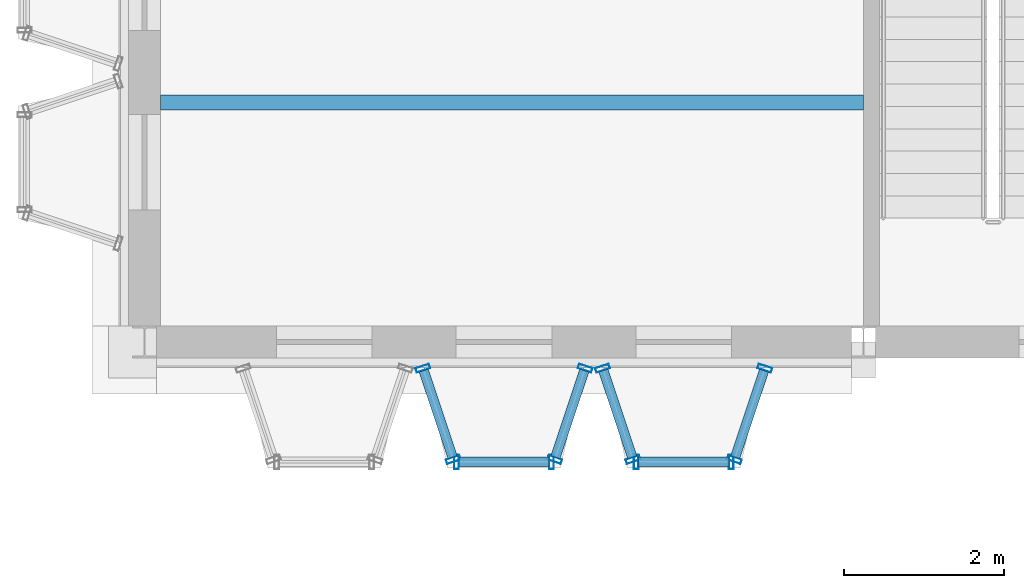
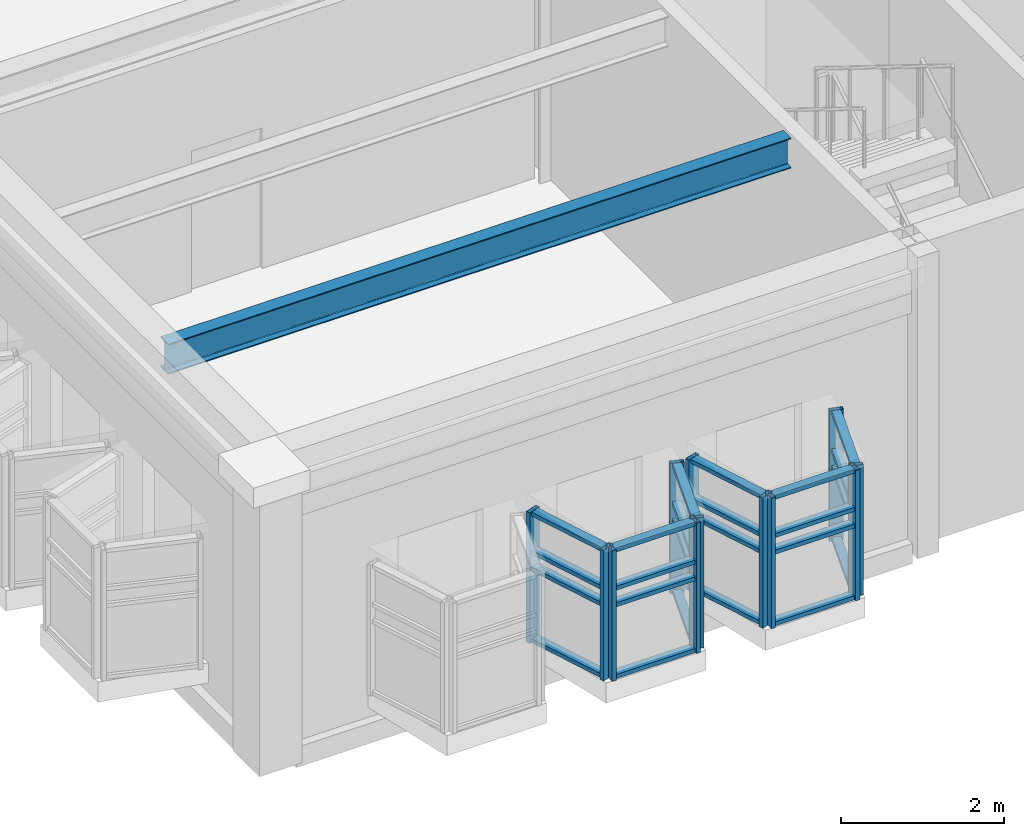
# One storey, part 28 of 153: 36 members, 1 beam, 6 elements without a shape of their own.
"""IFC4 building model written with IfcOpenShell, lengths in metres."""

from ifc_helpers import new_model, si_unit, direction, frame, origin, origin_2d, place, context, subcontext, project, spatial, hollow_rectangle, i_section, extrude, material, material_profile, profile_set, type_object, element, aggregate, save


model = new_model("IFC4")

# Units and contexts
model_context = context("Model", 3, precision=1e-05, world=origin(), true_north=direction((0.0, 1.0)))
body_context = subcontext(model_context, "Body", "Model", "MODEL_VIEW")
ifc_project = project(units=[si_unit("LENGTHUNIT", "METRE"), si_unit("AREAUNIT", "SQUARE_METRE"), si_unit("VOLUMEUNIT", "CUBIC_METRE"), si_unit("PLANEANGLEUNIT", "RADIAN"), si_unit("MASSUNIT", "GRAM", prefix="KILO")], contexts=[model_context])

# Site, building, storey
site_placement = place(None, origin())
site = spatial("IfcSite", under=ifc_project, at=site_placement, CompositionType="ELEMENT")
building_placement = place(site_placement, origin())
building = spatial("IfcBuilding", under=site, at=building_placement, Name="Kallimachos Central Library", CompositionType="ELEMENT")
storey_placement = place(building_placement, frame((0.0, 0.0, 5.39990234375)))
storey = spatial("IfcBuildingStorey", under=building, at=storey_placement, Name="L01", CompositionType="ELEMENT", Elevation=5.39990234375)

# Curtain wall, members
ifc_material_1 = material(Name="Laminated glass in anodised aluminium", Category="aluminium")
curtain_wall_type = type_object("IfcCurtainWallType", Name="Foyer curtain wall", PredefinedType="NOTDEFINED", material=ifc_material_1)
curtain_wall_1_placement = place(storey_placement, origin())
curtain_wall_1 = element("IfcCurtainWall", 1, at=curtain_wall_1_placement, inside=storey, type_object=curtain_wall_type, Name="Tribune bay return west", PredefinedType="NOTDEFINED")
ifc_material_2 = material(Name="Anodised aluminium", Category="aluminium")
ifc_material_profile_1 = material_profile(ifc_material_2, hollow_rectangle(XDim=0.06005859375, YDim=0.179931640625, WallThickness=0.00390625, at=origin_2d()), Name="ALU MULLION 60x180")
ifc_profile_set_1 = profile_set([ifc_material_profile_1], Name="Anodised aluminium")
member_type_1 = type_object("IfcMemberType", Name="ALU MULLION 60x180 mullion", PredefinedType="MULLION", material=ifc_profile_set_1)
member_1_placement = place(storey_placement, frame((68.984375, 17.671630859375, 0.60009765625), z_axis=(0.0, 0.0, 1.0), x_axis=(0.316227766018, -0.94868329805, 0.0)))
member_1 = element("IfcMember", 2, at=member_1_placement, type_object=member_type_1, Name="CW mullion 1", PredefinedType="MULLION", context=body_context, shape_type="SweptSolid", body=[
    extrude(hollow_rectangle(XDim=0.06005859375, YDim=0.179931640625, WallThickness=0.00390625, at=origin_2d()), origin(), (0.0, 0.0, 1.0), 1.949951171875),
])
member_2_placement = place(storey_placement, frame((69.365478515625, 16.528564453125, 0.60009765625), z_axis=(0.0, 0.0, 1.0), x_axis=(0.316227766018, -0.94868329805, 0.0)))
member_2 = element("IfcMember", 3, at=member_2_placement, type_object=member_type_1, Name="CW mullion 2", PredefinedType="MULLION", context=body_context, shape_type="SweptSolid", body=[
    extrude(hollow_rectangle(XDim=0.06005859375, YDim=0.179931640625, WallThickness=0.00390625, at=origin_2d()), origin(), (0.0, 0.0, 1.0), 1.949951171875),
])

curtain_wall_2_placement = place(storey_placement, origin())
curtain_wall_2 = element("IfcCurtainWall", 4, at=curtain_wall_2_placement, inside=storey, type_object=curtain_wall_type, Name="Tribune bay front", PredefinedType="NOTDEFINED")
member_3_placement = place(storey_placement, frame((69.405029296875, 16.5, 0.60009765625), z_axis=(0.0, 0.0, 1.0), x_axis=(1.0, 0.0, 0.0)))
member_3 = element("IfcMember", 5, at=member_3_placement, type_object=member_type_1, Name="CW mullion 1", PredefinedType="MULLION", context=body_context, shape_type="SweptSolid", body=[
    extrude(hollow_rectangle(XDim=0.06005859375, YDim=0.179931640625, WallThickness=0.00390625, at=origin_2d()), origin(), (0.0, 0.0, 1.0), 1.949951171875),
])
member_4_placement = place(storey_placement, frame((70.594970703125, 16.5, 0.60009765625), z_axis=(0.0, 0.0, 1.0), x_axis=(1.0, 0.0, 0.0)))
member_4 = element("IfcMember", 6, at=member_4_placement, type_object=member_type_1, Name="CW mullion 2", PredefinedType="MULLION", context=body_context, shape_type="SweptSolid", body=[
    extrude(hollow_rectangle(XDim=0.06005859375, YDim=0.179931640625, WallThickness=0.00390625, at=origin_2d()), origin(), (0.0, 0.0, 1.0), 1.949951171875),
])

curtain_wall_3_placement = place(storey_placement, origin())
curtain_wall_3 = element("IfcCurtainWall", 7, at=curtain_wall_3_placement, inside=storey, type_object=curtain_wall_type, Name="Tribune bay return east", PredefinedType="NOTDEFINED")
member_5_placement = place(storey_placement, frame((70.634521484375, 16.528564453125, 0.60009765625), z_axis=(0.0, 0.0, 1.0), x_axis=(0.316227766018, 0.94868329805, 0.0)))
member_5 = element("IfcMember", 8, at=member_5_placement, type_object=member_type_1, Name="CW mullion 1", PredefinedType="MULLION", context=body_context, shape_type="SweptSolid", body=[
    extrude(hollow_rectangle(XDim=0.06005859375, YDim=0.179931640625, WallThickness=0.00390625, at=origin_2d()), origin(), (0.0, 0.0, 1.0), 1.949951171875),
])
member_6_placement = place(storey_placement, frame((71.015625, 17.671630859375, 0.60009765625), z_axis=(0.0, 0.0, 1.0), x_axis=(0.316227766018, 0.94868329805, 0.0)))
member_6 = element("IfcMember", 9, at=member_6_placement, type_object=member_type_1, Name="CW mullion 2", PredefinedType="MULLION", context=body_context, shape_type="SweptSolid", body=[
    extrude(hollow_rectangle(XDim=0.06005859375, YDim=0.179931640625, WallThickness=0.00390625, at=origin_2d()), origin(), (0.0, 0.0, 1.0), 1.949951171875),
])

curtain_wall_4_placement = place(storey_placement, origin())
curtain_wall_4 = element("IfcCurtainWall", 10, at=curtain_wall_4_placement, inside=storey, type_object=curtain_wall_type, Name="Tribune bay return west", PredefinedType="NOTDEFINED")
member_7_placement = place(storey_placement, frame((71.234375, 17.671630859375, 0.60009765625), z_axis=(0.0, 0.0, 1.0), x_axis=(0.316227766018, -0.94868329805, 0.0)))
member_7 = element("IfcMember", 11, at=member_7_placement, type_object=member_type_1, Name="CW mullion 1", PredefinedType="MULLION", context=body_context, shape_type="SweptSolid", body=[
    extrude(hollow_rectangle(XDim=0.06005859375, YDim=0.179931640625, WallThickness=0.00390625, at=origin_2d()), origin(), (0.0, 0.0, 1.0), 1.949951171875),
])
member_8_placement = place(storey_placement, frame((71.615478515625, 16.528564453125, 0.60009765625), z_axis=(0.0, 0.0, 1.0), x_axis=(0.316227766018, -0.94868329805, 0.0)))
member_8 = element("IfcMember", 12, at=member_8_placement, type_object=member_type_1, Name="CW mullion 2", PredefinedType="MULLION", context=body_context, shape_type="SweptSolid", body=[
    extrude(hollow_rectangle(XDim=0.06005859375, YDim=0.179931640625, WallThickness=0.00390625, at=origin_2d()), origin(), (0.0, 0.0, 1.0), 1.949951171875),
])

curtain_wall_5_placement = place(storey_placement, origin())
curtain_wall_5 = element("IfcCurtainWall", 13, at=curtain_wall_5_placement, inside=storey, type_object=curtain_wall_type, Name="Tribune bay front", PredefinedType="NOTDEFINED")
member_9_placement = place(storey_placement, frame((71.655029296875, 16.5, 0.60009765625), z_axis=(0.0, 0.0, 1.0), x_axis=(1.0, 0.0, 0.0)))
member_9 = element("IfcMember", 14, at=member_9_placement, type_object=member_type_1, Name="CW mullion 1", PredefinedType="MULLION", context=body_context, shape_type="SweptSolid", body=[
    extrude(hollow_rectangle(XDim=0.06005859375, YDim=0.179931640625, WallThickness=0.00390625, at=origin_2d()), origin(), (0.0, 0.0, 1.0), 1.949951171875),
])
member_10_placement = place(storey_placement, frame((72.844970703125, 16.5, 0.60009765625), z_axis=(0.0, 0.0, 1.0), x_axis=(1.0, 0.0, 0.0)))
member_10 = element("IfcMember", 15, at=member_10_placement, type_object=member_type_1, Name="CW mullion 2", PredefinedType="MULLION", context=body_context, shape_type="SweptSolid", body=[
    extrude(hollow_rectangle(XDim=0.06005859375, YDim=0.179931640625, WallThickness=0.00390625, at=origin_2d()), origin(), (0.0, 0.0, 1.0), 1.949951171875),
])

curtain_wall_6_placement = place(storey_placement, origin())
curtain_wall_6 = element("IfcCurtainWall", 16, at=curtain_wall_6_placement, inside=storey, type_object=curtain_wall_type, Name="Tribune bay return east", PredefinedType="NOTDEFINED")
member_11_placement = place(storey_placement, frame((72.884521484375, 16.528564453125, 0.60009765625), z_axis=(0.0, 0.0, 1.0), x_axis=(0.316227766018, 0.94868329805, 0.0)))
member_11 = element("IfcMember", 17, at=member_11_placement, type_object=member_type_1, Name="CW mullion 1", PredefinedType="MULLION", context=body_context, shape_type="SweptSolid", body=[
    extrude(hollow_rectangle(XDim=0.06005859375, YDim=0.179931640625, WallThickness=0.00390625, at=origin_2d()), origin(), (0.0, 0.0, 1.0), 1.949951171875),
])
member_12_placement = place(storey_placement, frame((73.265625, 17.671630859375, 0.60009765625), z_axis=(0.0, 0.0, 1.0), x_axis=(0.316227766018, 0.94868329805, 0.0)))
member_12 = element("IfcMember", 18, at=member_12_placement, type_object=member_type_1, Name="CW mullion 2", PredefinedType="MULLION", context=body_context, shape_type="SweptSolid", body=[
    extrude(hollow_rectangle(XDim=0.06005859375, YDim=0.179931640625, WallThickness=0.00390625, at=origin_2d()), origin(), (0.0, 0.0, 1.0), 1.949951171875),
])

# Member
ifc_material_3 = material(Name="Anodised aluminium", Category="aluminium")
ifc_material_profile_2 = material_profile(ifc_material_3, hollow_rectangle(XDim=0.06005859375, YDim=0.1201171875, WallThickness=0.00390625, at=origin_2d()), Name="ALU TRANSOM 60x120")
ifc_profile_set_2 = profile_set([ifc_material_profile_2], Name="Anodised aluminium")
member_type_2 = type_object("IfcMemberType", Name="ALU TRANSOM 60x120 transom", PredefinedType="USERDEFINED", material=ifc_profile_set_2)
member_13_placement = place(storey_placement, frame((68.993896484375, 17.64306640625, 0.630126953125), z_axis=(0.316227766017, -0.948683298051, 0.0), x_axis=(0.0, 0.0, 1.0)))
member_13 = element("IfcMember", 19, at=member_13_placement, type_object=member_type_2, Name="CW transom 1.1", ObjectType="TRANSOM", PredefinedType="USERDEFINED", context=body_context, shape_type="SweptSolid", body=[
    extrude(hollow_rectangle(XDim=0.06005859375, YDim=0.1201171875, WallThickness=0.00390625, at=origin_2d()), origin(), (0.0, 0.0, 1.0), 1.14501953125),
])

member_14_placement = place(storey_placement, frame((68.993896484375, 17.64306640625, 1.7001953125), z_axis=(0.316227766017, -0.948683298051, 0.0), x_axis=(0.0, 0.0, 1.0)))
member_14 = element("IfcMember", 20, at=member_14_placement, type_object=member_type_2, Name="CW transom 1.2", ObjectType="TRANSOM", PredefinedType="USERDEFINED", context=body_context, shape_type="SweptSolid", body=[
    extrude(hollow_rectangle(XDim=0.06005859375, YDim=0.1201171875, WallThickness=0.00390625, at=origin_2d()), origin(), (0.0, 0.0, 1.0), 1.14501953125),
])

member_15_placement = place(storey_placement, frame((68.993896484375, 17.64306640625, 1.9501953125), z_axis=(0.316227766017, -0.948683298051, 0.0), x_axis=(0.0, 0.0, 1.0)))
member_15 = element("IfcMember", 21, at=member_15_placement, type_object=member_type_2, Name="CW transom 1.3", ObjectType="TRANSOM", PredefinedType="USERDEFINED", context=body_context, shape_type="SweptSolid", body=[
    extrude(hollow_rectangle(XDim=0.06005859375, YDim=0.1201171875, WallThickness=0.00390625, at=origin_2d()), origin(), (0.0, 0.0, 1.0), 1.14501953125),
])

member_16_placement = place(storey_placement, frame((68.993896484375, 17.64306640625, 2.52001953125), z_axis=(0.316227766017, -0.948683298051, 0.0), x_axis=(0.0, 0.0, 1.0)))
member_16 = element("IfcMember", 22, at=member_16_placement, type_object=member_type_2, Name="CW transom 1.4", ObjectType="TRANSOM", PredefinedType="USERDEFINED", context=body_context, shape_type="SweptSolid", body=[
    extrude(hollow_rectangle(XDim=0.06005859375, YDim=0.1201171875, WallThickness=0.00390625, at=origin_2d()), origin(), (0.0, 0.0, 1.0), 1.14501953125),
])

aggregate(curtain_wall_1, [member_1, member_2, member_13, member_14, member_15, member_16])

member_17_placement = place(storey_placement, frame((69.43505859375, 16.5, 0.630126953125), z_axis=(1.0, 0.0, 0.0), x_axis=(0.0, 0.0, 1.0)))
member_17 = element("IfcMember", 23, at=member_17_placement, type_object=member_type_2, Name="CW transom 1.1", ObjectType="TRANSOM", PredefinedType="USERDEFINED", context=body_context, shape_type="SweptSolid", body=[
    extrude(hollow_rectangle(XDim=0.06005859375, YDim=0.1201171875, WallThickness=0.00390625, at=origin_2d()), origin(), (0.0, 0.0, 1.0), 1.1298828125),
])

member_18_placement = place(storey_placement, frame((69.43505859375, 16.5, 1.7001953125), z_axis=(1.0, 0.0, 0.0), x_axis=(0.0, 0.0, 1.0)))
member_18 = element("IfcMember", 24, at=member_18_placement, type_object=member_type_2, Name="CW transom 1.2", ObjectType="TRANSOM", PredefinedType="USERDEFINED", context=body_context, shape_type="SweptSolid", body=[
    extrude(hollow_rectangle(XDim=0.06005859375, YDim=0.1201171875, WallThickness=0.00390625, at=origin_2d()), origin(), (0.0, 0.0, 1.0), 1.1298828125),
])

member_19_placement = place(storey_placement, frame((69.43505859375, 16.5, 1.9501953125), z_axis=(1.0, 0.0, 0.0), x_axis=(0.0, 0.0, 1.0)))
member_19 = element("IfcMember", 25, at=member_19_placement, type_object=member_type_2, Name="CW transom 1.3", ObjectType="TRANSOM", PredefinedType="USERDEFINED", context=body_context, shape_type="SweptSolid", body=[
    extrude(hollow_rectangle(XDim=0.06005859375, YDim=0.1201171875, WallThickness=0.00390625, at=origin_2d()), origin(), (0.0, 0.0, 1.0), 1.1298828125),
])

member_20_placement = place(storey_placement, frame((69.43505859375, 16.5, 2.52001953125), z_axis=(1.0, 0.0, 0.0), x_axis=(0.0, 0.0, 1.0)))
member_20 = element("IfcMember", 26, at=member_20_placement, type_object=member_type_2, Name="CW transom 1.4", ObjectType="TRANSOM", PredefinedType="USERDEFINED", context=body_context, shape_type="SweptSolid", body=[
    extrude(hollow_rectangle(XDim=0.06005859375, YDim=0.1201171875, WallThickness=0.00390625, at=origin_2d()), origin(), (0.0, 0.0, 1.0), 1.1298828125),
])

aggregate(curtain_wall_2, [member_3, member_4, member_17, member_18, member_19, member_20])

member_21_placement = place(storey_placement, frame((70.64404296875, 16.556884765625, 0.630126953125), z_axis=(0.316227766017, 0.948683298051, 0.0), x_axis=(0.0, 0.0, 1.0)))
member_21 = element("IfcMember", 27, at=member_21_placement, type_object=member_type_2, Name="CW transom 1.1", ObjectType="TRANSOM", PredefinedType="USERDEFINED", context=body_context, shape_type="SweptSolid", body=[
    extrude(hollow_rectangle(XDim=0.06005859375, YDim=0.1201171875, WallThickness=0.00390625, at=origin_2d()), origin(), (0.0, 0.0, 1.0), 1.14501953125),
])

member_22_placement = place(storey_placement, frame((70.64404296875, 16.556884765625, 1.7001953125), z_axis=(0.316227766017, 0.948683298051, 0.0), x_axis=(0.0, 0.0, 1.0)))
member_22 = element("IfcMember", 28, at=member_22_placement, type_object=member_type_2, Name="CW transom 1.2", ObjectType="TRANSOM", PredefinedType="USERDEFINED", context=body_context, shape_type="SweptSolid", body=[
    extrude(hollow_rectangle(XDim=0.06005859375, YDim=0.1201171875, WallThickness=0.00390625, at=origin_2d()), origin(), (0.0, 0.0, 1.0), 1.14501953125),
])

member_23_placement = place(storey_placement, frame((70.64404296875, 16.556884765625, 1.9501953125), z_axis=(0.316227766017, 0.948683298051, 0.0), x_axis=(0.0, 0.0, 1.0)))
member_23 = element("IfcMember", 29, at=member_23_placement, type_object=member_type_2, Name="CW transom 1.3", ObjectType="TRANSOM", PredefinedType="USERDEFINED", context=body_context, shape_type="SweptSolid", body=[
    extrude(hollow_rectangle(XDim=0.06005859375, YDim=0.1201171875, WallThickness=0.00390625, at=origin_2d()), origin(), (0.0, 0.0, 1.0), 1.14501953125),
])

member_24_placement = place(storey_placement, frame((70.64404296875, 16.556884765625, 2.52001953125), z_axis=(0.316227766017, 0.948683298051, 0.0), x_axis=(0.0, 0.0, 1.0)))
member_24 = element("IfcMember", 30, at=member_24_placement, type_object=member_type_2, Name="CW transom 1.4", ObjectType="TRANSOM", PredefinedType="USERDEFINED", context=body_context, shape_type="SweptSolid", body=[
    extrude(hollow_rectangle(XDim=0.06005859375, YDim=0.1201171875, WallThickness=0.00390625, at=origin_2d()), origin(), (0.0, 0.0, 1.0), 1.14501953125),
])

aggregate(curtain_wall_3, [member_5, member_6, member_21, member_22, member_23, member_24])

member_25_placement = place(storey_placement, frame((71.243896484375, 17.64306640625, 0.630126953125), z_axis=(0.316227766017, -0.948683298051, 0.0), x_axis=(0.0, 0.0, 1.0)))
member_25 = element("IfcMember", 31, at=member_25_placement, type_object=member_type_2, Name="CW transom 1.1", ObjectType="TRANSOM", PredefinedType="USERDEFINED", context=body_context, shape_type="SweptSolid", body=[
    extrude(hollow_rectangle(XDim=0.06005859375, YDim=0.1201171875, WallThickness=0.00390625, at=origin_2d()), origin(), (0.0, 0.0, 1.0), 1.14501953125),
])

member_26_placement = place(storey_placement, frame((71.243896484375, 17.64306640625, 1.7001953125), z_axis=(0.316227766017, -0.948683298051, 0.0), x_axis=(0.0, 0.0, 1.0)))
member_26 = element("IfcMember", 32, at=member_26_placement, type_object=member_type_2, Name="CW transom 1.2", ObjectType="TRANSOM", PredefinedType="USERDEFINED", context=body_context, shape_type="SweptSolid", body=[
    extrude(hollow_rectangle(XDim=0.06005859375, YDim=0.1201171875, WallThickness=0.00390625, at=origin_2d()), origin(), (0.0, 0.0, 1.0), 1.14501953125),
])

member_27_placement = place(storey_placement, frame((71.243896484375, 17.64306640625, 1.9501953125), z_axis=(0.316227766017, -0.948683298051, 0.0), x_axis=(0.0, 0.0, 1.0)))
member_27 = element("IfcMember", 33, at=member_27_placement, type_object=member_type_2, Name="CW transom 1.3", ObjectType="TRANSOM", PredefinedType="USERDEFINED", context=body_context, shape_type="SweptSolid", body=[
    extrude(hollow_rectangle(XDim=0.06005859375, YDim=0.1201171875, WallThickness=0.00390625, at=origin_2d()), origin(), (0.0, 0.0, 1.0), 1.14501953125),
])

member_28_placement = place(storey_placement, frame((71.243896484375, 17.64306640625, 2.52001953125), z_axis=(0.316227766017, -0.948683298051, 0.0), x_axis=(0.0, 0.0, 1.0)))
member_28 = element("IfcMember", 34, at=member_28_placement, type_object=member_type_2, Name="CW transom 1.4", ObjectType="TRANSOM", PredefinedType="USERDEFINED", context=body_context, shape_type="SweptSolid", body=[
    extrude(hollow_rectangle(XDim=0.06005859375, YDim=0.1201171875, WallThickness=0.00390625, at=origin_2d()), origin(), (0.0, 0.0, 1.0), 1.14501953125),
])

aggregate(curtain_wall_4, [member_7, member_8, member_25, member_26, member_27, member_28])

member_29_placement = place(storey_placement, frame((71.68505859375, 16.5, 0.630126953125), z_axis=(1.0, 0.0, 0.0), x_axis=(0.0, 0.0, 1.0)))
member_29 = element("IfcMember", 35, at=member_29_placement, type_object=member_type_2, Name="CW transom 1.1", ObjectType="TRANSOM", PredefinedType="USERDEFINED", context=body_context, shape_type="SweptSolid", body=[
    extrude(hollow_rectangle(XDim=0.06005859375, YDim=0.1201171875, WallThickness=0.00390625, at=origin_2d()), origin(), (0.0, 0.0, 1.0), 1.1298828125),
])

member_30_placement = place(storey_placement, frame((71.68505859375, 16.5, 1.7001953125), z_axis=(1.0, 0.0, 0.0), x_axis=(0.0, 0.0, 1.0)))
member_30 = element("IfcMember", 36, at=member_30_placement, type_object=member_type_2, Name="CW transom 1.2", ObjectType="TRANSOM", PredefinedType="USERDEFINED", context=body_context, shape_type="SweptSolid", body=[
    extrude(hollow_rectangle(XDim=0.06005859375, YDim=0.1201171875, WallThickness=0.00390625, at=origin_2d()), origin(), (0.0, 0.0, 1.0), 1.1298828125),
])

member_31_placement = place(storey_placement, frame((71.68505859375, 16.5, 1.9501953125), z_axis=(1.0, 0.0, 0.0), x_axis=(0.0, 0.0, 1.0)))
member_31 = element("IfcMember", 37, at=member_31_placement, type_object=member_type_2, Name="CW transom 1.3", ObjectType="TRANSOM", PredefinedType="USERDEFINED", context=body_context, shape_type="SweptSolid", body=[
    extrude(hollow_rectangle(XDim=0.06005859375, YDim=0.1201171875, WallThickness=0.00390625, at=origin_2d()), origin(), (0.0, 0.0, 1.0), 1.1298828125),
])

member_32_placement = place(storey_placement, frame((71.68505859375, 16.5, 2.52001953125), z_axis=(1.0, 0.0, 0.0), x_axis=(0.0, 0.0, 1.0)))
member_32 = element("IfcMember", 38, at=member_32_placement, type_object=member_type_2, Name="CW transom 1.4", ObjectType="TRANSOM", PredefinedType="USERDEFINED", context=body_context, shape_type="SweptSolid", body=[
    extrude(hollow_rectangle(XDim=0.06005859375, YDim=0.1201171875, WallThickness=0.00390625, at=origin_2d()), origin(), (0.0, 0.0, 1.0), 1.1298828125),
])

aggregate(curtain_wall_5, [member_9, member_10, member_29, member_30, member_31, member_32])

member_33_placement = place(storey_placement, frame((72.89404296875, 16.556884765625, 0.630126953125), z_axis=(0.316227766017, 0.948683298051, 0.0), x_axis=(0.0, 0.0, 1.0)))
member_33 = element("IfcMember", 39, at=member_33_placement, type_object=member_type_2, Name="CW transom 1.1", ObjectType="TRANSOM", PredefinedType="USERDEFINED", context=body_context, shape_type="SweptSolid", body=[
    extrude(hollow_rectangle(XDim=0.06005859375, YDim=0.1201171875, WallThickness=0.00390625, at=origin_2d()), origin(), (0.0, 0.0, 1.0), 1.14501953125),
])

member_34_placement = place(storey_placement, frame((72.89404296875, 16.556884765625, 1.7001953125), z_axis=(0.316227766017, 0.948683298051, 0.0), x_axis=(0.0, 0.0, 1.0)))
member_34 = element("IfcMember", 40, at=member_34_placement, type_object=member_type_2, Name="CW transom 1.2", ObjectType="TRANSOM", PredefinedType="USERDEFINED", context=body_context, shape_type="SweptSolid", body=[
    extrude(hollow_rectangle(XDim=0.06005859375, YDim=0.1201171875, WallThickness=0.00390625, at=origin_2d()), origin(), (0.0, 0.0, 1.0), 1.14501953125),
])

member_35_placement = place(storey_placement, frame((72.89404296875, 16.556884765625, 1.9501953125), z_axis=(0.316227766017, 0.948683298051, 0.0), x_axis=(0.0, 0.0, 1.0)))
member_35 = element("IfcMember", 41, at=member_35_placement, type_object=member_type_2, Name="CW transom 1.3", ObjectType="TRANSOM", PredefinedType="USERDEFINED", context=body_context, shape_type="SweptSolid", body=[
    extrude(hollow_rectangle(XDim=0.06005859375, YDim=0.1201171875, WallThickness=0.00390625, at=origin_2d()), origin(), (0.0, 0.0, 1.0), 1.14501953125),
])

member_36_placement = place(storey_placement, frame((72.89404296875, 16.556884765625, 2.52001953125), z_axis=(0.316227766017, 0.948683298051, 0.0), x_axis=(0.0, 0.0, 1.0)))
member_36 = element("IfcMember", 42, at=member_36_placement, type_object=member_type_2, Name="CW transom 1.4", ObjectType="TRANSOM", PredefinedType="USERDEFINED", context=body_context, shape_type="SweptSolid", body=[
    extrude(hollow_rectangle(XDim=0.06005859375, YDim=0.1201171875, WallThickness=0.00390625, at=origin_2d()), origin(), (0.0, 0.0, 1.0), 1.14501953125),
])

aggregate(curtain_wall_6, [member_11, member_12, member_33, member_34, member_35, member_36])

# Beam
ifc_material_4 = material(Name="Steel S355J2", Category="steel")
ifc_material_profile_3 = material_profile(ifc_material_4, i_section(OverallWidth=0.18994140625, OverallDepth=0.449951171875, WebThickness=0.009521484375, FlangeThickness=0.0146484375, FilletRadius=0.02099609375, at=origin_2d()), Name="IPE 450")
ifc_profile_set_3 = profile_set([ifc_material_profile_3], Name="Steel S355J2")
beam_type = type_object("IfcBeamType", Name="IPE 450 beam", PredefinedType="BEAM", material=ifc_profile_set_3)
beam_placement = place(storey_placement, frame((65.699951171875, 21.0, 3.97509765625), z_axis=(1.0, 0.0, 0.0), x_axis=(0.0, 1.0, 0.0)))
element("IfcBeam", 43, at=beam_placement, inside=storey, type_object=beam_type, Name="V5-BEM-L01-013", PredefinedType="BEAM", context=body_context, shape_type="SweptSolid", body=[
    extrude(i_section(OverallWidth=0.18994140625, OverallDepth=0.449951171875, WebThickness=0.009521484375, FlangeThickness=0.0146484375, FilletRadius=0.02099609375, at=origin_2d()), origin(), (0.0, 0.0, 1.0), 8.800048828125),
])

save(model, "model.ifc")
